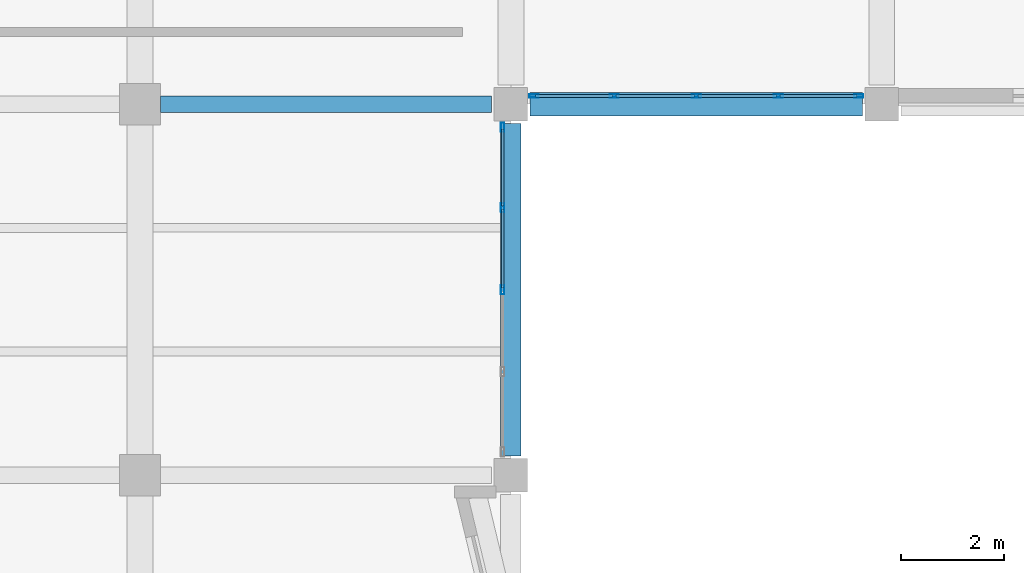
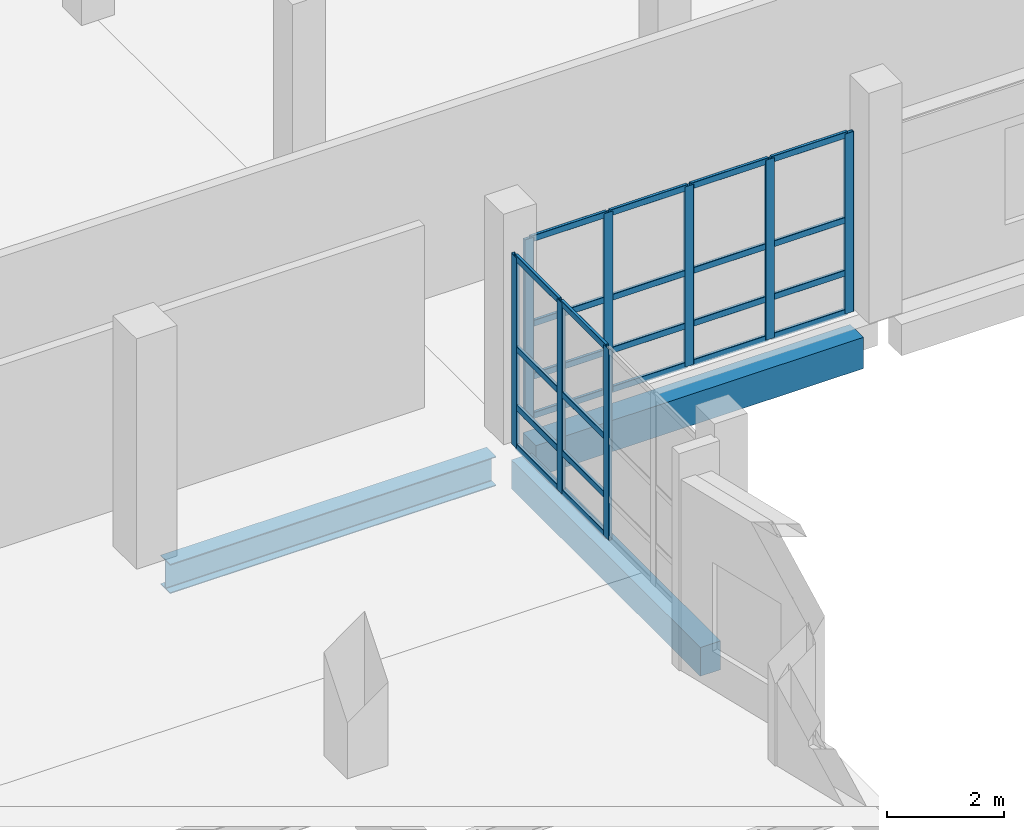
# One storey, part 48 of 127: 32 members, 3 beams, 2 elements without a shape of their own.
"""IFC4 building model written with IfcOpenShell, lengths in metres."""

from ifc_helpers import new_model, si_unit, direction, frame, origin, origin_2d, place, context, subcontext, project, spatial, rectangle, hollow_rectangle, i_section, extrude, material, material_profile, profile_set, type_object, element, aggregate, save


model = new_model("IFC4")

# Units and contexts
model_context = context("Model", 3, precision=1e-05, world=origin(), true_north=direction((0.0, 1.0)))
body_context = subcontext(model_context, "Body", "Model", "MODEL_VIEW")
ifc_project = project(units=[si_unit("LENGTHUNIT", "METRE"), si_unit("AREAUNIT", "SQUARE_METRE"), si_unit("VOLUMEUNIT", "CUBIC_METRE"), si_unit("PLANEANGLEUNIT", "RADIAN"), si_unit("MASSUNIT", "GRAM", prefix="KILO")], contexts=[model_context])

# Site, building, storey
site_placement = place(None, origin())
site = spatial("IfcSite", under=ifc_project, at=site_placement, CompositionType="ELEMENT")
building_placement = place(site_placement, origin())
building = spatial("IfcBuilding", under=site, at=building_placement, Name="Kalmorath City Hall", CompositionType="ELEMENT")
storey_placement = place(building_placement, frame((0.0, 0.0, 5.39990234375)))
storey = spatial("IfcBuildingStorey", under=building, at=storey_placement, Name="L01", CompositionType="ELEMENT", Elevation=5.39990234375)

# Beams
ifc_material_1 = material(Name="Concrete C40/50", Category="concrete")
ifc_material_profile_1 = material_profile(ifc_material_1, rectangle(XDim=0.39990234375, YDim=0.60009765625, at=origin_2d()), Name="RC-BM-400X600")
ifc_profile_set_1 = profile_set([ifc_material_profile_1], Name="Concrete C40/50")
beam_type_1 = type_object("IfcBeamType", Name="Concrete edge beam 400x600", PredefinedType="SPANDREL", material=ifc_profile_set_1)
beam_1_placement = place(storey_placement, frame((28.800048828125, 86.77490234375, -0.6240234375), z_axis=(0.0, 1.0, 0.0), x_axis=(-1.0, 0.0, 0.0)))
element("IfcBeam", 1, at=beam_1_placement, inside=storey, type_object=beam_type_1, Name="L01 girder CB6 Y5/13-14", PredefinedType="SPANDREL", context=body_context, shape_type="SweptSolid", body=[
    extrude(rectangle(XDim=0.39990234375, YDim=0.60009765625, at=origin_2d()), origin(), (0.0, 0.0, 1.0), 6.4501953125),
])
ifc_material_2 = material(Name="Concrete C40/50", Category="concrete")
ifc_material_profile_2 = material_profile(ifc_material_2, rectangle(XDim=0.449951171875, YDim=0.64990234375, at=origin_2d()), Name="RC-BM-450X650")
ifc_profile_set_2 = profile_set([ifc_material_profile_2], Name="Concrete C40/50")
beam_type_2 = type_object("IfcBeamType", Name="Concrete spandrel beam 450x650", PredefinedType="SPANDREL", material=ifc_profile_set_2)
beam_2_placement = place(storey_placement, frame((29.175048828125, 93.60009765625, -0.64892578125), z_axis=(1.0, 0.0, 0.0), x_axis=(0.0, 1.0, 0.0)))
element("IfcBeam", 2, at=beam_2_placement, inside=storey, type_object=beam_type_2, Name="L01 girder CB5 X5-6/14", PredefinedType="SPANDREL", context=body_context, shape_type="SweptSolid", body=[
    extrude(rectangle(XDim=0.449951171875, YDim=0.64990234375, at=origin_2d()), origin(), (0.0, 0.0, 1.0), 6.449951171875),
])

# Curtain wall, members
ifc_material_3 = material(Name="Anodised aluminium and laminated glass", Category="aluminium")
curtain_wall_type_1 = type_object("IfcCurtainWallType", Name="Unitised hurricane curtain wall 6370x3751 M1750", PredefinedType="NOTDEFINED", material=ifc_material_3)
curtain_wall_1_placement = place(storey_placement, origin())
curtain_wall_1 = element("IfcCurtainWall", 3, at=curtain_wall_1_placement, inside=storey, type_object=curtain_wall_type_1, Name="L01 curtain wall CW-64X38M18 #107", PredefinedType="NOTDEFINED")
ifc_material_4 = material(Name="Anodised aluminium framing", Category="aluminium")
ifc_material_profile_3 = material_profile(ifc_material_4, hollow_rectangle(XDim=0.06494140625, YDim=0.179931640625, WallThickness=0.00390625, InnerFilletRadius=0.00390625, OuterFilletRadius=0.008056640625, at=origin_2d()), Name="ALU-MUL-180X65X4")
ifc_profile_set_3 = profile_set([ifc_material_profile_3], Name="Anodised aluminium framing")
member_type_1 = type_object("IfcMemberType", Name="Curtain-wall courtyard mullion 180x65", PredefinedType="MULLION", material=ifc_profile_set_3)
member_1_placement = place(storey_placement, frame((35.552490234375, 93.760009765625, 0.0), z_axis=(0.0, 0.0, 1.0), x_axis=(0.0, -1.0, 0.0)))
member_1 = element("IfcMember", 4, at=member_1_placement, type_object=member_type_1, Name="CW-64X38M18 mullion 1", PredefinedType="MULLION", context=body_context, shape_type="SweptSolid", body=[
    extrude(hollow_rectangle(XDim=0.06494140625, YDim=0.179931640625, WallThickness=0.00390625, InnerFilletRadius=0.00390625, OuterFilletRadius=0.008056640625, at=origin_2d()), origin(), (0.0, 0.0, 1.0), 3.7509765625),
])
member_2_placement = place(storey_placement, frame((33.992431640625, 93.760009765625, 0.0), z_axis=(0.0, 0.0, 1.0), x_axis=(0.0, -1.0, 0.0)))
member_2 = element("IfcMember", 5, at=member_2_placement, type_object=member_type_1, Name="CW-64X38M18 mullion 2", PredefinedType="MULLION", context=body_context, shape_type="SweptSolid", body=[
    extrude(hollow_rectangle(XDim=0.06494140625, YDim=0.179931640625, WallThickness=0.00390625, InnerFilletRadius=0.00390625, OuterFilletRadius=0.008056640625, at=origin_2d()), origin(), (0.0, 0.0, 1.0), 3.7509765625),
])
member_3_placement = place(storey_placement, frame((32.39990234375, 93.760009765625, 0.0), z_axis=(0.0, 0.0, 1.0), x_axis=(0.0, -1.0, 0.0)))
member_3 = element("IfcMember", 6, at=member_3_placement, type_object=member_type_1, Name="CW-64X38M18 mullion 3", PredefinedType="MULLION", context=body_context, shape_type="SweptSolid", body=[
    extrude(hollow_rectangle(XDim=0.06494140625, YDim=0.179931640625, WallThickness=0.00390625, InnerFilletRadius=0.00390625, OuterFilletRadius=0.008056640625, at=origin_2d()), origin(), (0.0, 0.0, 1.0), 3.7509765625),
])
member_4_placement = place(storey_placement, frame((30.8076171875, 93.760009765625, 0.0), z_axis=(0.0, 0.0, 1.0), x_axis=(0.0, -1.0, 0.0)))
member_4 = element("IfcMember", 7, at=member_4_placement, type_object=member_type_1, Name="CW-64X38M18 mullion 4", PredefinedType="MULLION", context=body_context, shape_type="SweptSolid", body=[
    extrude(hollow_rectangle(XDim=0.06494140625, YDim=0.179931640625, WallThickness=0.00390625, InnerFilletRadius=0.00390625, OuterFilletRadius=0.008056640625, at=origin_2d()), origin(), (0.0, 0.0, 1.0), 3.7509765625),
])
member_5_placement = place(storey_placement, frame((29.24755859375, 93.760009765625, 0.0), z_axis=(0.0, 0.0, 1.0), x_axis=(0.0, -1.0, 0.0)))
member_5 = element("IfcMember", 8, at=member_5_placement, type_object=member_type_1, Name="CW-64X38M18 mullion 5", PredefinedType="MULLION", context=body_context, shape_type="SweptSolid", body=[
    extrude(hollow_rectangle(XDim=0.06494140625, YDim=0.179931640625, WallThickness=0.00390625, InnerFilletRadius=0.00390625, OuterFilletRadius=0.008056640625, at=origin_2d()), origin(), (0.0, 0.0, 1.0), 3.7509765625),
])

ifc_material_5 = material(Name="Anodised aluminium and laminated glass", Category="aluminium")
curtain_wall_type_2 = type_object("IfcCurtainWallType", Name="Unitised hurricane curtain wall 6370x3976 M1750", PredefinedType="NOTDEFINED", material=ifc_material_5)
curtain_wall_2_placement = place(storey_placement, origin())
curtain_wall_2 = element("IfcCurtainWall", 9, at=curtain_wall_2_placement, inside=storey, type_object=curtain_wall_type_2, Name="L01 curtain wall CW-64X40M18 #108", PredefinedType="NOTDEFINED")
member_6_placement = place(storey_placement, frame((28.639892578125, 93.152587890625, 0.0), z_axis=(0.0, 0.0, 1.0), x_axis=(1.0, 0.0, 0.0)))
member_6 = element("IfcMember", 10, at=member_6_placement, type_object=member_type_1, Name="CW-64X40M18 mullion 1", PredefinedType="MULLION", context=body_context, shape_type="SweptSolid", body=[
    extrude(hollow_rectangle(XDim=0.06494140625, YDim=0.179931640625, WallThickness=0.00390625, InnerFilletRadius=0.00390625, OuterFilletRadius=0.008056640625, at=origin_2d()), origin(), (0.0, 0.0, 1.0), 3.97607421875),
])
member_7_placement = place(storey_placement, frame((28.639892578125, 91.592529296875, 0.0), z_axis=(0.0, 0.0, 1.0), x_axis=(1.0, 0.0, 0.0)))
member_7 = element("IfcMember", 11, at=member_7_placement, type_object=member_type_1, Name="CW-64X40M18 mullion 2", PredefinedType="MULLION", context=body_context, shape_type="SweptSolid", body=[
    extrude(hollow_rectangle(XDim=0.06494140625, YDim=0.179931640625, WallThickness=0.00390625, InnerFilletRadius=0.00390625, OuterFilletRadius=0.008056640625, at=origin_2d()), origin(), (0.0, 0.0, 1.0), 3.97607421875),
])
member_8_placement = place(storey_placement, frame((28.639892578125, 90.0, 0.0), z_axis=(0.0, 0.0, 1.0), x_axis=(1.0, 0.0, 0.0)))
member_8 = element("IfcMember", 12, at=member_8_placement, type_object=member_type_1, Name="CW-64X40M18 mullion 3", PredefinedType="MULLION", context=body_context, shape_type="SweptSolid", body=[
    extrude(hollow_rectangle(XDim=0.06494140625, YDim=0.179931640625, WallThickness=0.00390625, InnerFilletRadius=0.00390625, OuterFilletRadius=0.008056640625, at=origin_2d()), origin(), (0.0, 0.0, 1.0), 3.97607421875),
])

# Member
ifc_material_6 = material(Name="Anodised aluminium framing", Category="aluminium")
ifc_material_profile_4 = material_profile(ifc_material_6, hollow_rectangle(XDim=0.06005859375, YDim=0.1298828125, WallThickness=0.00341796875, InnerFilletRadius=0.00341796875, OuterFilletRadius=0.007080078125, at=origin_2d()), Name="ALU-TRN-130X60X3.5")
ifc_profile_set_4 = profile_set([ifc_material_profile_4], Name="Anodised aluminium framing")
member_type_2 = type_object("IfcMemberType", Name="Curtain-wall courtyard transom 130x60", PredefinedType="USERDEFINED", material=ifc_profile_set_4)
member_9_placement = place(storey_placement, frame((35.52001953125, 93.760009765625, 0.030029296875), z_axis=(-1.0, 0.0, 0.0), x_axis=(0.0, -1.0, 0.0)))
member_9 = element("IfcMember", 13, at=member_9_placement, type_object=member_type_2, Name="CW-64X38M18 transom 1.1", ObjectType="TRANSOM", PredefinedType="USERDEFINED", context=body_context, shape_type="SweptSolid", body=[
    extrude(hollow_rectangle(XDim=0.06005859375, YDim=0.1298828125, WallThickness=0.00341796875, InnerFilletRadius=0.00341796875, OuterFilletRadius=0.007080078125, at=origin_2d()), origin(), (0.0, 0.0, 1.0), 1.4951171875),
])

member_10_placement = place(storey_placement, frame((35.52001953125, 93.760009765625, 0.85009765625), z_axis=(-1.0, 0.0, 0.0), x_axis=(0.0, -1.0, 0.0)))
member_10 = element("IfcMember", 14, at=member_10_placement, type_object=member_type_2, Name="CW-64X38M18 transom 1.2", ObjectType="TRANSOM", PredefinedType="USERDEFINED", context=body_context, shape_type="SweptSolid", body=[
    extrude(hollow_rectangle(XDim=0.06005859375, YDim=0.1298828125, WallThickness=0.00341796875, InnerFilletRadius=0.00341796875, OuterFilletRadius=0.007080078125, at=origin_2d()), origin(), (0.0, 0.0, 1.0), 1.4951171875),
])

member_11_placement = place(storey_placement, frame((35.52001953125, 93.760009765625, 1.951171875), z_axis=(-1.0, 0.0, 0.0), x_axis=(0.0, -1.0, 0.0)))
member_11 = element("IfcMember", 15, at=member_11_placement, type_object=member_type_2, Name="CW-64X38M18 transom 1.3", ObjectType="TRANSOM", PredefinedType="USERDEFINED", context=body_context, shape_type="SweptSolid", body=[
    extrude(hollow_rectangle(XDim=0.06005859375, YDim=0.1298828125, WallThickness=0.00341796875, InnerFilletRadius=0.00341796875, OuterFilletRadius=0.007080078125, at=origin_2d()), origin(), (0.0, 0.0, 1.0), 1.4951171875),
])

member_12_placement = place(storey_placement, frame((35.52001953125, 93.760009765625, 3.72119140625), z_axis=(-1.0, 0.0, 0.0), x_axis=(0.0, -1.0, 0.0)))
member_12 = element("IfcMember", 16, at=member_12_placement, type_object=member_type_2, Name="CW-64X38M18 transom 1.4", ObjectType="TRANSOM", PredefinedType="USERDEFINED", context=body_context, shape_type="SweptSolid", body=[
    extrude(hollow_rectangle(XDim=0.06005859375, YDim=0.1298828125, WallThickness=0.00341796875, InnerFilletRadius=0.00341796875, OuterFilletRadius=0.007080078125, at=origin_2d()), origin(), (0.0, 0.0, 1.0), 1.4951171875),
])

member_13_placement = place(storey_placement, frame((33.9599609375, 93.760009765625, 0.030029296875), z_axis=(-1.0, 0.0, 0.0), x_axis=(0.0, -1.0, 0.0)))
member_13 = element("IfcMember", 17, at=member_13_placement, type_object=member_type_2, Name="CW-64X38M18 transom 2.1", ObjectType="TRANSOM", PredefinedType="USERDEFINED", context=body_context, shape_type="SweptSolid", body=[
    extrude(hollow_rectangle(XDim=0.06005859375, YDim=0.1298828125, WallThickness=0.00341796875, InnerFilletRadius=0.00341796875, OuterFilletRadius=0.007080078125, at=origin_2d()), origin(), (0.0, 0.0, 1.0), 1.52734375),
])

member_14_placement = place(storey_placement, frame((33.9599609375, 93.760009765625, 0.85009765625), z_axis=(-1.0, 0.0, 0.0), x_axis=(0.0, -1.0, 0.0)))
member_14 = element("IfcMember", 18, at=member_14_placement, type_object=member_type_2, Name="CW-64X38M18 transom 2.2", ObjectType="TRANSOM", PredefinedType="USERDEFINED", context=body_context, shape_type="SweptSolid", body=[
    extrude(hollow_rectangle(XDim=0.06005859375, YDim=0.1298828125, WallThickness=0.00341796875, InnerFilletRadius=0.00341796875, OuterFilletRadius=0.007080078125, at=origin_2d()), origin(), (0.0, 0.0, 1.0), 1.52734375),
])

member_15_placement = place(storey_placement, frame((33.9599609375, 93.760009765625, 1.951171875), z_axis=(-1.0, 0.0, 0.0), x_axis=(0.0, -1.0, 0.0)))
member_15 = element("IfcMember", 19, at=member_15_placement, type_object=member_type_2, Name="CW-64X38M18 transom 2.3", ObjectType="TRANSOM", PredefinedType="USERDEFINED", context=body_context, shape_type="SweptSolid", body=[
    extrude(hollow_rectangle(XDim=0.06005859375, YDim=0.1298828125, WallThickness=0.00341796875, InnerFilletRadius=0.00341796875, OuterFilletRadius=0.007080078125, at=origin_2d()), origin(), (0.0, 0.0, 1.0), 1.52734375),
])

member_16_placement = place(storey_placement, frame((33.9599609375, 93.760009765625, 3.72119140625), z_axis=(-1.0, 0.0, 0.0), x_axis=(0.0, -1.0, 0.0)))
member_16 = element("IfcMember", 20, at=member_16_placement, type_object=member_type_2, Name="CW-64X38M18 transom 2.4", ObjectType="TRANSOM", PredefinedType="USERDEFINED", context=body_context, shape_type="SweptSolid", body=[
    extrude(hollow_rectangle(XDim=0.06005859375, YDim=0.1298828125, WallThickness=0.00341796875, InnerFilletRadius=0.00341796875, OuterFilletRadius=0.007080078125, at=origin_2d()), origin(), (0.0, 0.0, 1.0), 1.52734375),
])

member_17_placement = place(storey_placement, frame((32.367431640625, 93.760009765625, 0.030029296875), z_axis=(-1.0, 0.0, 0.0), x_axis=(0.0, -1.0, 0.0)))
member_17 = element("IfcMember", 21, at=member_17_placement, type_object=member_type_2, Name="CW-64X38M18 transom 3.1", ObjectType="TRANSOM", PredefinedType="USERDEFINED", context=body_context, shape_type="SweptSolid", body=[
    extrude(hollow_rectangle(XDim=0.06005859375, YDim=0.1298828125, WallThickness=0.00341796875, InnerFilletRadius=0.00341796875, OuterFilletRadius=0.007080078125, at=origin_2d()), origin(), (0.0, 0.0, 1.0), 1.52734375),
])

member_18_placement = place(storey_placement, frame((32.367431640625, 93.760009765625, 0.85009765625), z_axis=(-1.0, 0.0, 0.0), x_axis=(0.0, -1.0, 0.0)))
member_18 = element("IfcMember", 22, at=member_18_placement, type_object=member_type_2, Name="CW-64X38M18 transom 3.2", ObjectType="TRANSOM", PredefinedType="USERDEFINED", context=body_context, shape_type="SweptSolid", body=[
    extrude(hollow_rectangle(XDim=0.06005859375, YDim=0.1298828125, WallThickness=0.00341796875, InnerFilletRadius=0.00341796875, OuterFilletRadius=0.007080078125, at=origin_2d()), origin(), (0.0, 0.0, 1.0), 1.52734375),
])

member_19_placement = place(storey_placement, frame((32.367431640625, 93.760009765625, 1.951171875), z_axis=(-1.0, 0.0, 0.0), x_axis=(0.0, -1.0, 0.0)))
member_19 = element("IfcMember", 23, at=member_19_placement, type_object=member_type_2, Name="CW-64X38M18 transom 3.3", ObjectType="TRANSOM", PredefinedType="USERDEFINED", context=body_context, shape_type="SweptSolid", body=[
    extrude(hollow_rectangle(XDim=0.06005859375, YDim=0.1298828125, WallThickness=0.00341796875, InnerFilletRadius=0.00341796875, OuterFilletRadius=0.007080078125, at=origin_2d()), origin(), (0.0, 0.0, 1.0), 1.52734375),
])

member_20_placement = place(storey_placement, frame((32.367431640625, 93.760009765625, 3.72119140625), z_axis=(-1.0, 0.0, 0.0), x_axis=(0.0, -1.0, 0.0)))
member_20 = element("IfcMember", 24, at=member_20_placement, type_object=member_type_2, Name="CW-64X38M18 transom 3.4", ObjectType="TRANSOM", PredefinedType="USERDEFINED", context=body_context, shape_type="SweptSolid", body=[
    extrude(hollow_rectangle(XDim=0.06005859375, YDim=0.1298828125, WallThickness=0.00341796875, InnerFilletRadius=0.00341796875, OuterFilletRadius=0.007080078125, at=origin_2d()), origin(), (0.0, 0.0, 1.0), 1.52734375),
])

member_21_placement = place(storey_placement, frame((30.77490234375, 93.760009765625, 0.030029296875), z_axis=(-1.0, 0.0, 0.0), x_axis=(0.0, -1.0, 0.0)))
member_21 = element("IfcMember", 25, at=member_21_placement, type_object=member_type_2, Name="CW-64X38M18 transom 4.1", ObjectType="TRANSOM", PredefinedType="USERDEFINED", context=body_context, shape_type="SweptSolid", body=[
    extrude(hollow_rectangle(XDim=0.06005859375, YDim=0.1298828125, WallThickness=0.00341796875, InnerFilletRadius=0.00341796875, OuterFilletRadius=0.007080078125, at=origin_2d()), origin(), (0.0, 0.0, 1.0), 1.494873046875),
])

member_22_placement = place(storey_placement, frame((30.77490234375, 93.760009765625, 0.85009765625), z_axis=(-1.0, 0.0, 0.0), x_axis=(0.0, -1.0, 0.0)))
member_22 = element("IfcMember", 26, at=member_22_placement, type_object=member_type_2, Name="CW-64X38M18 transom 4.2", ObjectType="TRANSOM", PredefinedType="USERDEFINED", context=body_context, shape_type="SweptSolid", body=[
    extrude(hollow_rectangle(XDim=0.06005859375, YDim=0.1298828125, WallThickness=0.00341796875, InnerFilletRadius=0.00341796875, OuterFilletRadius=0.007080078125, at=origin_2d()), origin(), (0.0, 0.0, 1.0), 1.494873046875),
])

member_23_placement = place(storey_placement, frame((30.77490234375, 93.760009765625, 1.951171875), z_axis=(-1.0, 0.0, 0.0), x_axis=(0.0, -1.0, 0.0)))
member_23 = element("IfcMember", 27, at=member_23_placement, type_object=member_type_2, Name="CW-64X38M18 transom 4.3", ObjectType="TRANSOM", PredefinedType="USERDEFINED", context=body_context, shape_type="SweptSolid", body=[
    extrude(hollow_rectangle(XDim=0.06005859375, YDim=0.1298828125, WallThickness=0.00341796875, InnerFilletRadius=0.00341796875, OuterFilletRadius=0.007080078125, at=origin_2d()), origin(), (0.0, 0.0, 1.0), 1.494873046875),
])

member_24_placement = place(storey_placement, frame((30.77490234375, 93.760009765625, 3.72119140625), z_axis=(-1.0, 0.0, 0.0), x_axis=(0.0, -1.0, 0.0)))
member_24 = element("IfcMember", 28, at=member_24_placement, type_object=member_type_2, Name="CW-64X38M18 transom 4.4", ObjectType="TRANSOM", PredefinedType="USERDEFINED", context=body_context, shape_type="SweptSolid", body=[
    extrude(hollow_rectangle(XDim=0.06005859375, YDim=0.1298828125, WallThickness=0.00341796875, InnerFilletRadius=0.00341796875, OuterFilletRadius=0.007080078125, at=origin_2d()), origin(), (0.0, 0.0, 1.0), 1.494873046875),
])

aggregate(curtain_wall_1, [member_1, member_2, member_3, member_4, member_5, member_9, member_10, member_11, member_12, member_13, member_14, member_15, member_16, member_17, member_18, member_19, member_20, member_21, member_22, member_23, member_24])

member_25_placement = place(storey_placement, frame((28.639892578125, 93.1201171875, 0.030029296875), z_axis=(0.0, -1.0, 0.0), x_axis=(1.0, 0.0, 0.0)))
member_25 = element("IfcMember", 29, at=member_25_placement, type_object=member_type_2, Name="CW-64X40M18 transom 1.1", ObjectType="TRANSOM", PredefinedType="USERDEFINED", context=body_context, shape_type="SweptSolid", body=[
    extrude(hollow_rectangle(XDim=0.06005859375, YDim=0.1298828125, WallThickness=0.00341796875, InnerFilletRadius=0.00341796875, OuterFilletRadius=0.007080078125, at=origin_2d()), origin(), (0.0, 0.0, 1.0), 1.4951171875),
])

member_26_placement = place(storey_placement, frame((28.639892578125, 93.1201171875, 0.85009765625), z_axis=(0.0, -1.0, 0.0), x_axis=(1.0, 0.0, 0.0)))
member_26 = element("IfcMember", 30, at=member_26_placement, type_object=member_type_2, Name="CW-64X40M18 transom 1.2", ObjectType="TRANSOM", PredefinedType="USERDEFINED", context=body_context, shape_type="SweptSolid", body=[
    extrude(hollow_rectangle(XDim=0.06005859375, YDim=0.1298828125, WallThickness=0.00341796875, InnerFilletRadius=0.00341796875, OuterFilletRadius=0.007080078125, at=origin_2d()), origin(), (0.0, 0.0, 1.0), 1.4951171875),
])

member_27_placement = place(storey_placement, frame((28.639892578125, 93.1201171875, 2.068115234375), z_axis=(0.0, -1.0, 0.0), x_axis=(1.0, 0.0, 0.0)))
member_27 = element("IfcMember", 31, at=member_27_placement, type_object=member_type_2, Name="CW-64X40M18 transom 1.3", ObjectType="TRANSOM", PredefinedType="USERDEFINED", context=body_context, shape_type="SweptSolid", body=[
    extrude(hollow_rectangle(XDim=0.06005859375, YDim=0.1298828125, WallThickness=0.00341796875, InnerFilletRadius=0.00341796875, OuterFilletRadius=0.007080078125, at=origin_2d()), origin(), (0.0, 0.0, 1.0), 1.4951171875),
])

member_28_placement = place(storey_placement, frame((28.639892578125, 93.1201171875, 3.946044921875), z_axis=(0.0, -1.0, 0.0), x_axis=(1.0, 0.0, 0.0)))
member_28 = element("IfcMember", 32, at=member_28_placement, type_object=member_type_2, Name="CW-64X40M18 transom 1.4", ObjectType="TRANSOM", PredefinedType="USERDEFINED", context=body_context, shape_type="SweptSolid", body=[
    extrude(hollow_rectangle(XDim=0.06005859375, YDim=0.1298828125, WallThickness=0.00341796875, InnerFilletRadius=0.00341796875, OuterFilletRadius=0.007080078125, at=origin_2d()), origin(), (0.0, 0.0, 1.0), 1.4951171875),
])

member_29_placement = place(storey_placement, frame((28.639892578125, 91.56005859375, 0.030029296875), z_axis=(0.0, -1.0, 0.0), x_axis=(1.0, 0.0, 0.0)))
member_29 = element("IfcMember", 33, at=member_29_placement, type_object=member_type_2, Name="CW-64X40M18 transom 2.1", ObjectType="TRANSOM", PredefinedType="USERDEFINED", context=body_context, shape_type="SweptSolid", body=[
    extrude(hollow_rectangle(XDim=0.06005859375, YDim=0.1298828125, WallThickness=0.00341796875, InnerFilletRadius=0.00341796875, OuterFilletRadius=0.007080078125, at=origin_2d()), origin(), (0.0, 0.0, 1.0), 1.527587890625),
])

member_30_placement = place(storey_placement, frame((28.639892578125, 91.56005859375, 0.85009765625), z_axis=(0.0, -1.0, 0.0), x_axis=(1.0, 0.0, 0.0)))
member_30 = element("IfcMember", 34, at=member_30_placement, type_object=member_type_2, Name="CW-64X40M18 transom 2.2", ObjectType="TRANSOM", PredefinedType="USERDEFINED", context=body_context, shape_type="SweptSolid", body=[
    extrude(hollow_rectangle(XDim=0.06005859375, YDim=0.1298828125, WallThickness=0.00341796875, InnerFilletRadius=0.00341796875, OuterFilletRadius=0.007080078125, at=origin_2d()), origin(), (0.0, 0.0, 1.0), 1.527587890625),
])

member_31_placement = place(storey_placement, frame((28.639892578125, 91.56005859375, 2.068115234375), z_axis=(0.0, -1.0, 0.0), x_axis=(1.0, 0.0, 0.0)))
member_31 = element("IfcMember", 35, at=member_31_placement, type_object=member_type_2, Name="CW-64X40M18 transom 2.3", ObjectType="TRANSOM", PredefinedType="USERDEFINED", context=body_context, shape_type="SweptSolid", body=[
    extrude(hollow_rectangle(XDim=0.06005859375, YDim=0.1298828125, WallThickness=0.00341796875, InnerFilletRadius=0.00341796875, OuterFilletRadius=0.007080078125, at=origin_2d()), origin(), (0.0, 0.0, 1.0), 1.527587890625),
])

member_32_placement = place(storey_placement, frame((28.639892578125, 91.56005859375, 3.946044921875), z_axis=(0.0, -1.0, 0.0), x_axis=(1.0, 0.0, 0.0)))
member_32 = element("IfcMember", 36, at=member_32_placement, type_object=member_type_2, Name="CW-64X40M18 transom 2.4", ObjectType="TRANSOM", PredefinedType="USERDEFINED", context=body_context, shape_type="SweptSolid", body=[
    extrude(hollow_rectangle(XDim=0.06005859375, YDim=0.1298828125, WallThickness=0.00341796875, InnerFilletRadius=0.00341796875, OuterFilletRadius=0.007080078125, at=origin_2d()), origin(), (0.0, 0.0, 1.0), 1.527587890625),
])

aggregate(curtain_wall_2, [member_6, member_7, member_8, member_25, member_26, member_27, member_28, member_29, member_30, member_31, member_32])

# Beam
ifc_material_7 = material(Name="Steel ASTM A992 Grade 50", Category="steel")
ifc_material_profile_5 = material_profile(ifc_material_7, i_section(OverallWidth=0.323974609375, OverallDepth=0.611083984375, WebThickness=0.0126953125, FlangeThickness=0.01904296875, FilletRadius=0.01611328125, at=origin_2d()), Name="W24X104")
ifc_profile_set_5 = profile_set([ifc_material_profile_5], Name="Steel ASTM A992 Grade 50")
beam_type_3 = type_object("IfcBeamType", Name="Steel floor girder W24X104", PredefinedType="BEAM", material=ifc_profile_set_5)
beam_3_placement = place(storey_placement, frame((22.0, 93.60009765625, -0.62939453125), z_axis=(1.0, 0.0, 0.0), x_axis=(0.0, 1.0, 0.0)))
element("IfcBeam", 37, at=beam_3_placement, inside=storey, type_object=beam_type_3, Name="L01 girder SG7 X4-5/14", PredefinedType="BEAM", context=body_context, shape_type="SweptSolid", body=[
    extrude(i_section(OverallWidth=0.323974609375, OverallDepth=0.611083984375, WebThickness=0.0126953125, FlangeThickness=0.01904296875, FilletRadius=0.01611328125, at=origin_2d()), origin(), (0.0, 0.0, 1.0), 6.425048828125),
])

save(model, "model.ifc")
